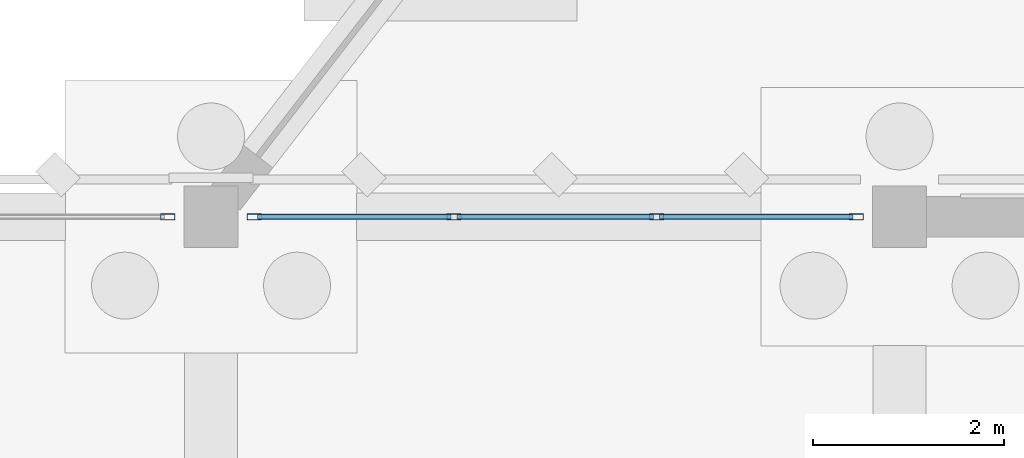
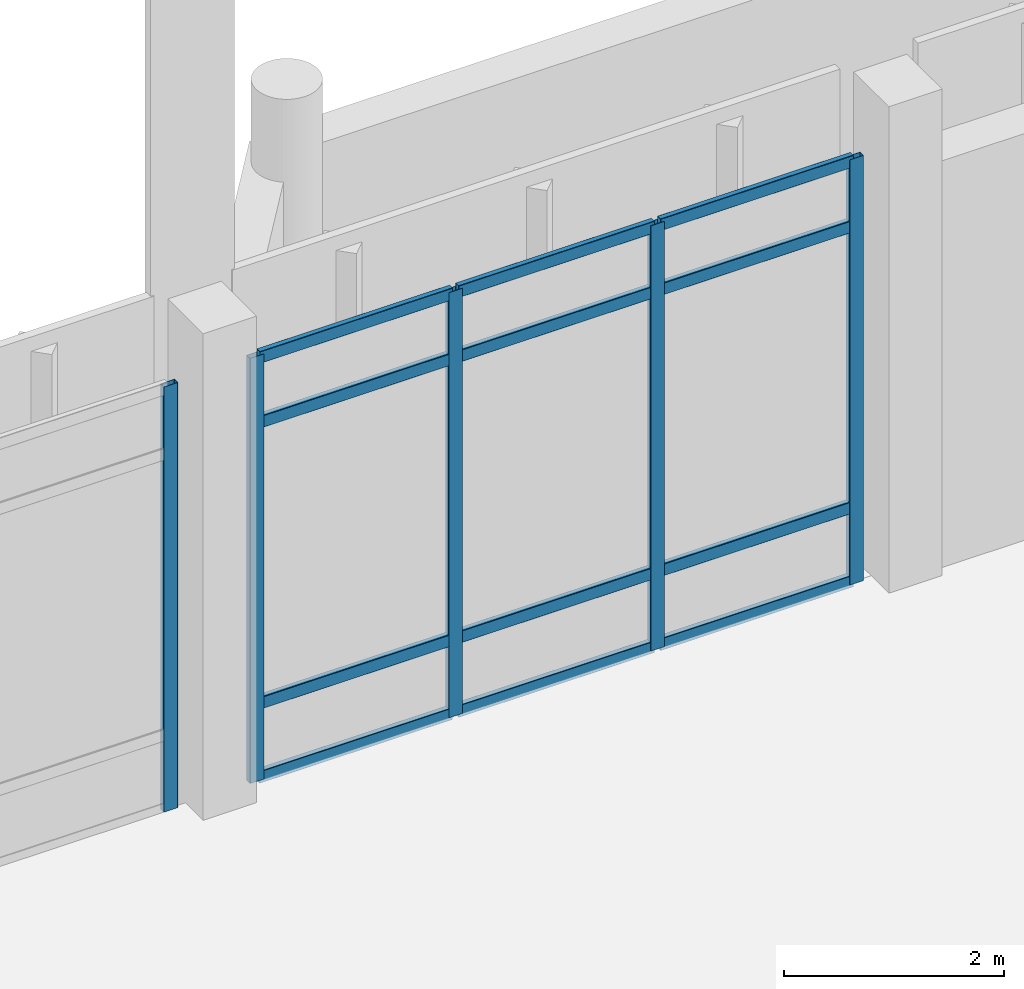
# One storey, part 69 of 109: 17 members, 2 elements without a shape of their own.
"""IFC4 building model written with IfcOpenShell, lengths in metres."""

from ifc_helpers import new_model, si_unit, direction, frame, origin, origin_2d, place, context, subcontext, project, spatial, hollow_rectangle, extrude, material, material_profile, profile_set, type_object, element, aggregate, save


model = new_model("IFC4")

# Units and contexts
model_context = context("Model", 3, precision=1e-05, world=origin(), true_north=direction((0.0, 1.0)))
body_context = subcontext(model_context, "Body", "Model", "MODEL_VIEW")
ifc_project = project(units=[si_unit("LENGTHUNIT", "METRE"), si_unit("AREAUNIT", "SQUARE_METRE"), si_unit("VOLUMEUNIT", "CUBIC_METRE"), si_unit("PLANEANGLEUNIT", "RADIAN"), si_unit("MASSUNIT", "GRAM", prefix="KILO")], contexts=[model_context])

# Site, building, storey
site_placement = place(None, origin())
site = spatial("IfcSite", under=ifc_project, at=site_placement, CompositionType="ELEMENT")
building_placement = place(site_placement, origin())
building = spatial("IfcBuilding", under=site, at=building_placement, Name="Lusvemor Sports Hall", CompositionType="ELEMENT")
storey_placement = place(building_placement, origin())
storey = spatial("IfcBuildingStorey", under=building, at=storey_placement, Name="L00", CompositionType="ELEMENT", Elevation=0.0)

# Curtain wall, member
ifc_material_1 = material(Name="Thermally broken bronze-anodized aluminium", Category="aluminium")
curtain_wall_type = type_object("IfcCurtainWallType", Name="CW_WING_B", PredefinedType="NOTDEFINED", material=ifc_material_1)
curtain_wall_1_placement = place(storey_placement, origin())
curtain_wall_1 = element("IfcCurtainWall", 1, at=curtain_wall_1_placement, inside=storey, type_object=curtain_wall_type, Name="Curtain Wall CW-L00-N-1-12", PredefinedType="NOTDEFINED")
ifc_material_2 = material(Name="Thermally broken bronze-anodized aluminium", Category="aluminium")
ifc_material_profile_1 = material_profile(ifc_material_2, hollow_rectangle(XDim=0.06494140625, YDim=0.14990234375, WallThickness=0.00390625, InnerFilletRadius=0.00390625, OuterFilletRadius=0.008056640625, at=origin_2d()), Name="CWMUL150x65x4")
ifc_profile_set_1 = profile_set([ifc_material_profile_1], Name="Thermally broken bronze-anodized aluminium")
member_type_1 = type_object("IfcMemberType", Name="CW_MUL_B", PredefinedType="MULLION", material=ifc_profile_set_1)
member_1_placement = place(storey_placement, frame((125.547607421875, 115.199951171875, 0.0), z_axis=(0.0, 0.0, 1.0), x_axis=(0.0, 1.0, 0.0)))
member_1 = element("IfcMember", 2, at=member_1_placement, type_object=member_type_1, Name="CW02 mullion 4", PredefinedType="MULLION", context=body_context, shape_type="SweptSolid", body=[
    extrude(hollow_rectangle(XDim=0.06494140625, YDim=0.14990234375, WallThickness=0.00390625, InnerFilletRadius=0.00390625, OuterFilletRadius=0.008056640625, at=origin_2d()), origin(), (0.0, 0.0, 1.0), 4.719970703125),
])
aggregate(curtain_wall_1, [member_1])

# Curtain wall, members
curtain_wall_2_placement = place(storey_placement, origin())
curtain_wall_2 = element("IfcCurtainWall", 3, at=curtain_wall_2_placement, inside=storey, type_object=curtain_wall_type, Name="Curtain Wall CW-L00-N-1-13", PredefinedType="NOTDEFINED")
member_2_placement = place(storey_placement, frame((126.452392578125, 115.199951171875, 0.0), z_axis=(0.0, 0.0, 1.0), x_axis=(0.0, 1.0, 0.0)))
member_2 = element("IfcMember", 4, at=member_2_placement, type_object=member_type_1, Name="CW02 mullion 1", PredefinedType="MULLION", context=body_context, shape_type="SweptSolid", body=[
    extrude(hollow_rectangle(XDim=0.06494140625, YDim=0.14990234375, WallThickness=0.00390625, InnerFilletRadius=0.00390625, OuterFilletRadius=0.008056640625, at=origin_2d()), origin(), (0.0, 0.0, 1.0), 4.719970703125),
])
member_3_placement = place(storey_placement, frame((128.5400390625, 115.199951171875, 0.0), z_axis=(0.0, 0.0, 1.0), x_axis=(0.0, 1.0, 0.0)))
member_3 = element("IfcMember", 5, at=member_3_placement, type_object=member_type_1, Name="CW02 mullion 2", PredefinedType="MULLION", context=body_context, shape_type="SweptSolid", body=[
    extrude(hollow_rectangle(XDim=0.06494140625, YDim=0.14990234375, WallThickness=0.00390625, InnerFilletRadius=0.00390625, OuterFilletRadius=0.008056640625, at=origin_2d()), origin(), (0.0, 0.0, 1.0), 4.719970703125),
])
member_4_placement = place(storey_placement, frame((130.659912109375, 115.199951171875, 0.0), z_axis=(0.0, 0.0, 1.0), x_axis=(0.0, 1.0, 0.0)))
member_4 = element("IfcMember", 6, at=member_4_placement, type_object=member_type_1, Name="CW02 mullion 3", PredefinedType="MULLION", context=body_context, shape_type="SweptSolid", body=[
    extrude(hollow_rectangle(XDim=0.06494140625, YDim=0.14990234375, WallThickness=0.00390625, InnerFilletRadius=0.00390625, OuterFilletRadius=0.008056640625, at=origin_2d()), origin(), (0.0, 0.0, 1.0), 4.719970703125),
])
member_5_placement = place(storey_placement, frame((132.74755859375, 115.199951171875, 0.0), z_axis=(0.0, 0.0, 1.0), x_axis=(0.0, 1.0, 0.0)))
member_5 = element("IfcMember", 7, at=member_5_placement, type_object=member_type_1, Name="CW02 mullion 4", PredefinedType="MULLION", context=body_context, shape_type="SweptSolid", body=[
    extrude(hollow_rectangle(XDim=0.06494140625, YDim=0.14990234375, WallThickness=0.00390625, InnerFilletRadius=0.00390625, OuterFilletRadius=0.008056640625, at=origin_2d()), origin(), (0.0, 0.0, 1.0), 4.719970703125),
])
ifc_material_3 = material(Name="Thermally broken bronze-anodized aluminium", Category="aluminium")
ifc_material_profile_2 = material_profile(ifc_material_3, hollow_rectangle(XDim=0.06005859375, YDim=0.135009765625, WallThickness=0.00390625, InnerFilletRadius=0.00390625, OuterFilletRadius=0.008056640625, at=origin_2d()), Name="CWTRN135x60x4")
ifc_profile_set_2 = profile_set([ifc_material_profile_2], Name="Thermally broken bronze-anodized aluminium")
member_type_2 = type_object("IfcMemberType", Name="CW_TRN_B", PredefinedType="USERDEFINED", material=ifc_profile_set_2)
member_6_placement = place(storey_placement, frame((126.485107421875, 115.199951171875, 0.030029296875), z_axis=(1.0, 0.0, 0.0), x_axis=(0.0, 1.0, 0.0)))
member_6 = element("IfcMember", 8, at=member_6_placement, type_object=member_type_2, Name="CW02 transom 1.1", ObjectType="TRANSOM", PredefinedType="USERDEFINED", context=body_context, shape_type="SweptSolid", body=[
    extrude(hollow_rectangle(XDim=0.06005859375, YDim=0.135009765625, WallThickness=0.00390625, InnerFilletRadius=0.00390625, OuterFilletRadius=0.008056640625, at=origin_2d()), origin(), (0.0, 0.0, 1.0), 2.0224609375),
])
member_7_placement = place(storey_placement, frame((126.485107421875, 115.199951171875, 0.85009765625), z_axis=(1.0, 0.0, 0.0), x_axis=(0.0, 1.0, 0.0)))
member_7 = element("IfcMember", 9, at=member_7_placement, type_object=member_type_2, Name="CW02 transom 1.2", ObjectType="TRANSOM", PredefinedType="USERDEFINED", context=body_context, shape_type="SweptSolid", body=[
    extrude(hollow_rectangle(XDim=0.06005859375, YDim=0.135009765625, WallThickness=0.00390625, InnerFilletRadius=0.00390625, OuterFilletRadius=0.008056640625, at=origin_2d()), origin(), (0.0, 0.0, 1.0), 2.0224609375),
])
member_8_placement = place(storey_placement, frame((126.485107421875, 115.199951171875, 3.969970703125), z_axis=(1.0, 0.0, 0.0), x_axis=(0.0, 1.0, 0.0)))
member_8 = element("IfcMember", 10, at=member_8_placement, type_object=member_type_2, Name="CW02 transom 1.3", ObjectType="TRANSOM", PredefinedType="USERDEFINED", context=body_context, shape_type="SweptSolid", body=[
    extrude(hollow_rectangle(XDim=0.06005859375, YDim=0.135009765625, WallThickness=0.00390625, InnerFilletRadius=0.00390625, OuterFilletRadius=0.008056640625, at=origin_2d()), origin(), (0.0, 0.0, 1.0), 2.0224609375),
])
member_9_placement = place(storey_placement, frame((126.485107421875, 115.199951171875, 4.68994140625), z_axis=(1.0, 0.0, 0.0), x_axis=(0.0, 1.0, 0.0)))
member_9 = element("IfcMember", 11, at=member_9_placement, type_object=member_type_2, Name="CW02 transom 1.4", ObjectType="TRANSOM", PredefinedType="USERDEFINED", context=body_context, shape_type="SweptSolid", body=[
    extrude(hollow_rectangle(XDim=0.06005859375, YDim=0.135009765625, WallThickness=0.00390625, InnerFilletRadius=0.00390625, OuterFilletRadius=0.008056640625, at=origin_2d()), origin(), (0.0, 0.0, 1.0), 2.0224609375),
])
member_10_placement = place(storey_placement, frame((128.572509765625, 115.199951171875, 0.030029296875), z_axis=(1.0, 0.0, 0.0), x_axis=(0.0, 1.0, 0.0)))
member_10 = element("IfcMember", 12, at=member_10_placement, type_object=member_type_2, Name="CW02 transom 2.1", ObjectType="TRANSOM", PredefinedType="USERDEFINED", context=body_context, shape_type="SweptSolid", body=[
    extrude(hollow_rectangle(XDim=0.06005859375, YDim=0.135009765625, WallThickness=0.00390625, InnerFilletRadius=0.00390625, OuterFilletRadius=0.008056640625, at=origin_2d()), origin(), (0.0, 0.0, 1.0), 2.054931640625),
])
member_11_placement = place(storey_placement, frame((128.572509765625, 115.199951171875, 0.85009765625), z_axis=(1.0, 0.0, 0.0), x_axis=(0.0, 1.0, 0.0)))
member_11 = element("IfcMember", 13, at=member_11_placement, type_object=member_type_2, Name="CW02 transom 2.2", ObjectType="TRANSOM", PredefinedType="USERDEFINED", context=body_context, shape_type="SweptSolid", body=[
    extrude(hollow_rectangle(XDim=0.06005859375, YDim=0.135009765625, WallThickness=0.00390625, InnerFilletRadius=0.00390625, OuterFilletRadius=0.008056640625, at=origin_2d()), origin(), (0.0, 0.0, 1.0), 2.054931640625),
])
member_12_placement = place(storey_placement, frame((128.572509765625, 115.199951171875, 3.969970703125), z_axis=(1.0, 0.0, 0.0), x_axis=(0.0, 1.0, 0.0)))
member_12 = element("IfcMember", 14, at=member_12_placement, type_object=member_type_2, Name="CW02 transom 2.3", ObjectType="TRANSOM", PredefinedType="USERDEFINED", context=body_context, shape_type="SweptSolid", body=[
    extrude(hollow_rectangle(XDim=0.06005859375, YDim=0.135009765625, WallThickness=0.00390625, InnerFilletRadius=0.00390625, OuterFilletRadius=0.008056640625, at=origin_2d()), origin(), (0.0, 0.0, 1.0), 2.054931640625),
])
member_13_placement = place(storey_placement, frame((128.572509765625, 115.199951171875, 4.68994140625), z_axis=(1.0, 0.0, 0.0), x_axis=(0.0, 1.0, 0.0)))
member_13 = element("IfcMember", 15, at=member_13_placement, type_object=member_type_2, Name="CW02 transom 2.4", ObjectType="TRANSOM", PredefinedType="USERDEFINED", context=body_context, shape_type="SweptSolid", body=[
    extrude(hollow_rectangle(XDim=0.06005859375, YDim=0.135009765625, WallThickness=0.00390625, InnerFilletRadius=0.00390625, OuterFilletRadius=0.008056640625, at=origin_2d()), origin(), (0.0, 0.0, 1.0), 2.054931640625),
])
member_14_placement = place(storey_placement, frame((130.6923828125, 115.199951171875, 0.030029296875), z_axis=(1.0, 0.0, 0.0), x_axis=(0.0, 1.0, 0.0)))
member_14 = element("IfcMember", 16, at=member_14_placement, type_object=member_type_2, Name="CW02 transom 3.1", ObjectType="TRANSOM", PredefinedType="USERDEFINED", context=body_context, shape_type="SweptSolid", body=[
    extrude(hollow_rectangle(XDim=0.06005859375, YDim=0.135009765625, WallThickness=0.00390625, InnerFilletRadius=0.00390625, OuterFilletRadius=0.008056640625, at=origin_2d()), origin(), (0.0, 0.0, 1.0), 2.022705078125),
])
member_15_placement = place(storey_placement, frame((130.6923828125, 115.199951171875, 0.85009765625), z_axis=(1.0, 0.0, 0.0), x_axis=(0.0, 1.0, 0.0)))
member_15 = element("IfcMember", 17, at=member_15_placement, type_object=member_type_2, Name="CW02 transom 3.2", ObjectType="TRANSOM", PredefinedType="USERDEFINED", context=body_context, shape_type="SweptSolid", body=[
    extrude(hollow_rectangle(XDim=0.06005859375, YDim=0.135009765625, WallThickness=0.00390625, InnerFilletRadius=0.00390625, OuterFilletRadius=0.008056640625, at=origin_2d()), origin(), (0.0, 0.0, 1.0), 2.022705078125),
])
member_16_placement = place(storey_placement, frame((130.6923828125, 115.199951171875, 3.969970703125), z_axis=(1.0, 0.0, 0.0), x_axis=(0.0, 1.0, 0.0)))
member_16 = element("IfcMember", 18, at=member_16_placement, type_object=member_type_2, Name="CW02 transom 3.3", ObjectType="TRANSOM", PredefinedType="USERDEFINED", context=body_context, shape_type="SweptSolid", body=[
    extrude(hollow_rectangle(XDim=0.06005859375, YDim=0.135009765625, WallThickness=0.00390625, InnerFilletRadius=0.00390625, OuterFilletRadius=0.008056640625, at=origin_2d()), origin(), (0.0, 0.0, 1.0), 2.022705078125),
])
member_17_placement = place(storey_placement, frame((130.6923828125, 115.199951171875, 4.68994140625), z_axis=(1.0, 0.0, 0.0), x_axis=(0.0, 1.0, 0.0)))
member_17 = element("IfcMember", 19, at=member_17_placement, type_object=member_type_2, Name="CW02 transom 3.4", ObjectType="TRANSOM", PredefinedType="USERDEFINED", context=body_context, shape_type="SweptSolid", body=[
    extrude(hollow_rectangle(XDim=0.06005859375, YDim=0.135009765625, WallThickness=0.00390625, InnerFilletRadius=0.00390625, OuterFilletRadius=0.008056640625, at=origin_2d()), origin(), (0.0, 0.0, 1.0), 2.022705078125),
])
aggregate(curtain_wall_2, [member_2, member_3, member_4, member_5, member_6, member_7, member_8, member_9, member_10, member_11, member_12, member_13, member_14, member_15, member_16, member_17])

save(model, "model.ifc")
